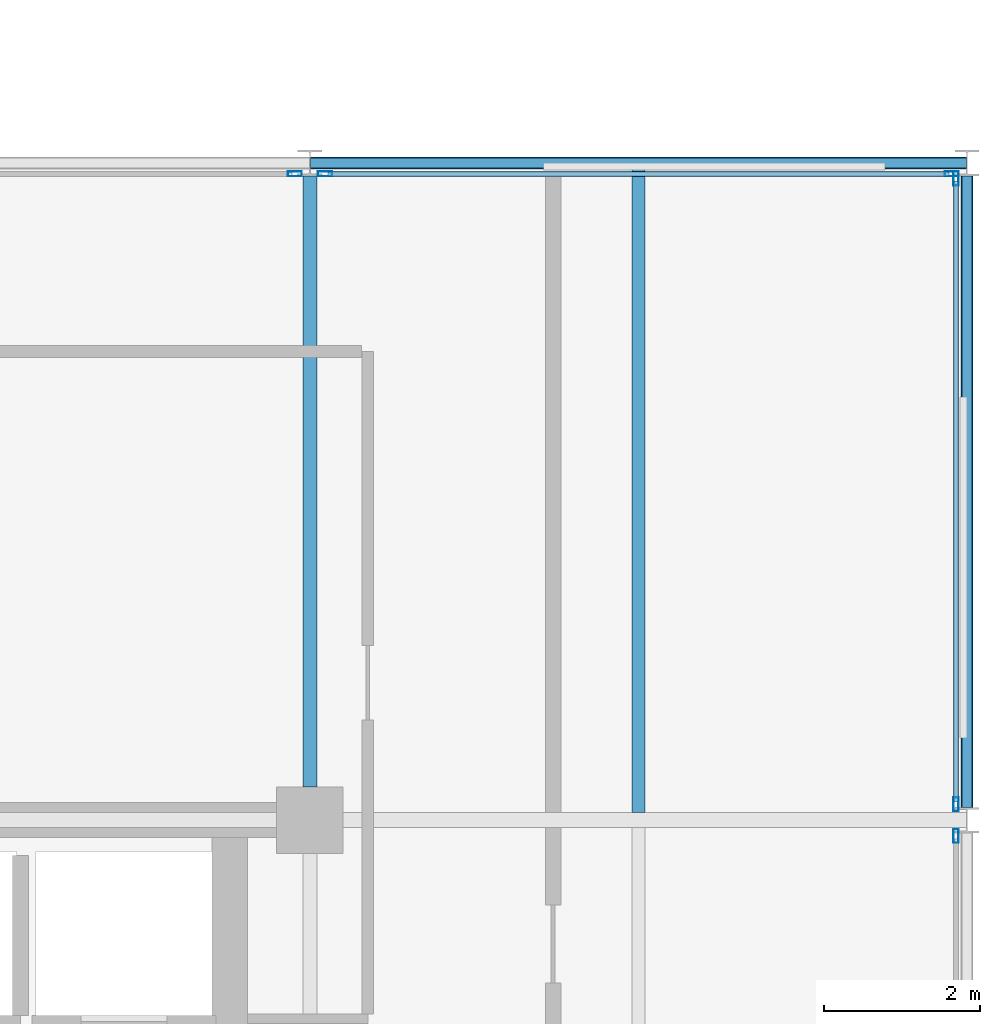
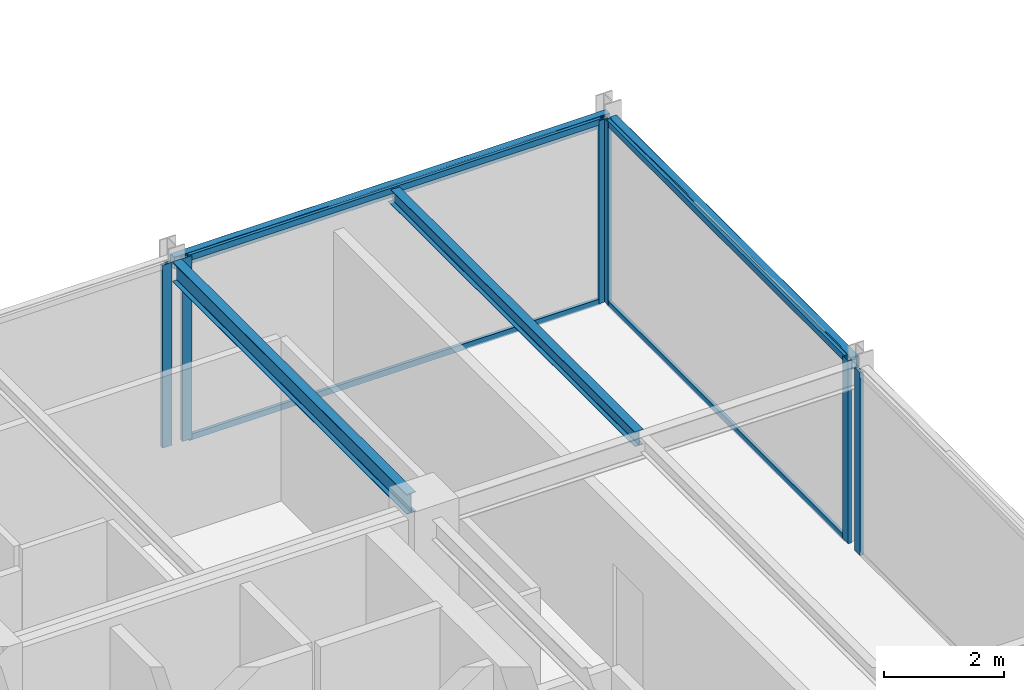
# One storey, part 16 of 26: 10 members, 4 beams, 4 elements without a shape of their own.
"""IFC4 building model written with IfcOpenShell, lengths in metres."""

from ifc_helpers import new_model, si_unit, direction, frame, origin, origin_2d, place, context, subcontext, project, spatial, hollow_rectangle, i_section, extrude, material, layer, layer_set, material_profile, profile_set, type_object, element, aggregate, save


model = new_model("IFC4")

# Units and contexts
model_context = context("Model", 3, precision=1e-05, world=origin(), true_north=direction((0.0, 1.0)))
body_context = subcontext(model_context, "Body", "Model", "MODEL_VIEW")
ifc_project = project(units=[si_unit("LENGTHUNIT", "METRE"), si_unit("AREAUNIT", "SQUARE_METRE"), si_unit("VOLUMEUNIT", "CUBIC_METRE"), si_unit("PLANEANGLEUNIT", "RADIAN"), si_unit("MASSUNIT", "GRAM", prefix="KILO")], contexts=[model_context])

# Site, building, storey
site_placement = place(None, origin())
site = spatial("IfcSite", under=ifc_project, at=site_placement, CompositionType="ELEMENT")
building_placement = place(site_placement, origin())
building = spatial("IfcBuilding", under=site, at=building_placement, Name="Nerrivon Quay Data Exchange", CompositionType="ELEMENT")
storey_placement = place(building_placement, frame((0.0, 0.0, 270.199951171875)))
storey = spatial("IfcBuildingStorey", under=building, at=storey_placement, Name="L64", CompositionType="ELEMENT", Elevation=270.199951171875)

# Beams
ifc_material_1 = material(Name="Steel Grade 350", Category="steel")
ifc_material_profile_1 = material_profile(ifc_material_1, i_section(OverallWidth=0.177978515625, OverallDepth=0.406005859375, WebThickness=0.0078125, FlangeThickness=0.0126953125, FilletRadius=0.011474609375, at=origin_2d()), Name="410UB59.7")
ifc_profile_set_1 = profile_set([ifc_material_profile_1], Name="Steel Grade 350")
beam_type_1 = type_object("IfcBeamType", Name="BM-J1-410UB60", PredefinedType="JOIST", material=ifc_profile_set_1)
beam_1_placement = place(storey_placement, frame((33.60009765625, 17.22509765625, 3.52197265625), z_axis=(0.0, 1.0, 0.0), x_axis=(-1.0, 0.0, 0.0)))
element("IfcBeam", 1, at=beam_1_placement, inside=storey, type_object=beam_type_1, Name="L64 NS Girder X=33.6 (16.8..25.2)", PredefinedType="JOIST", context=body_context, shape_type="SweptSolid", body=[
    extrude(i_section(OverallWidth=0.177978515625, OverallDepth=0.406005859375, WebThickness=0.0078125, FlangeThickness=0.0126953125, FilletRadius=0.011474609375, at=origin_2d()), origin(), (0.0, 0.0, 1.0), 7.8115234375),
])
ifc_material_profile_2 = material_profile(ifc_material_1, i_section(OverallWidth=0.1650390625, OverallDepth=0.303955078125, WebThickness=0.006103515625, FlangeThickness=0.01025390625, FilletRadius=0.011474609375, at=origin_2d()), Name="310UB40.4")
ifc_profile_set_2 = profile_set([ifc_material_profile_2], Name="Steel Grade 350")
beam_type_2 = type_object("IfcBeamType", Name="BM-J6-310UB40", PredefinedType="JOIST", material=ifc_profile_set_2)
beam_2_placement = place(storey_placement, frame((37.800048828125, 16.89501953125, 3.572998046875), z_axis=(0.0, 1.0, 0.0), x_axis=(-1.0, 0.0, 0.0)))
element("IfcBeam", 2, at=beam_2_placement, inside=storey, type_object=beam_type_2, Name="L64 Secondary Joist X=37.8 (16.8..25.2)", PredefinedType="JOIST", context=body_context, shape_type="SweptSolid", body=[
    extrude(i_section(OverallWidth=0.1650390625, OverallDepth=0.303955078125, WebThickness=0.006103515625, FlangeThickness=0.01025390625, FilletRadius=0.011474609375, at=origin_2d()), origin(), (0.0, 0.0, 1.0), 8.22998046875),
])
ifc_material_2 = material(Name="Steel Grade C350L0 (350 MPa)", Category="steel")
ifc_material_profile_3 = material_profile(ifc_material_2, hollow_rectangle(XDim=0.14990234375, YDim=0.25, WallThickness=0.009033203125, InnerFilletRadius=0.013427734375, OuterFilletRadius=0.0224609375, at=origin_2d()), Name="250x150x9.0RHS")
ifc_profile_set_3 = profile_set([ifc_material_profile_3], Name="Steel Grade C350L0 (350 MPa)")
beam_type_3 = type_object("IfcBeamType", Name="BM-SP4-250x150RHS", PredefinedType="SPANDREL", material=ifc_profile_set_3)
beam_3_placement = place(storey_placement, frame((33.60791015625, 25.199951171875, 3.60009765625), z_axis=(1.0, 0.0, 0.0), x_axis=(0.0, 1.0, 0.0)))
element("IfcBeam", 3, at=beam_3_placement, inside=storey, type_object=beam_type_3, Name="L64 EW Girder Y=25.2 (33.6..42.0)", PredefinedType="SPANDREL", context=body_context, shape_type="SweptSolid", body=[
    extrude(hollow_rectangle(XDim=0.14990234375, YDim=0.25, WallThickness=0.009033203125, InnerFilletRadius=0.013427734375, OuterFilletRadius=0.0224609375, at=origin_2d()), origin(), (0.0, 0.0, 1.0), 8.38427734375),
])
beam_4_placement = place(storey_placement, frame((42.0, 16.96337890625, 3.60009765625), z_axis=(0.0, 1.0, 0.0), x_axis=(-1.0, 0.0, 0.0)))
element("IfcBeam", 4, at=beam_4_placement, inside=storey, type_object=beam_type_3, Name="L64 NS Girder X=42.0 (16.8..25.2)", PredefinedType="SPANDREL", context=body_context, shape_type="SweptSolid", body=[
    extrude(hollow_rectangle(XDim=0.14990234375, YDim=0.25, WallThickness=0.009033203125, InnerFilletRadius=0.013427734375, OuterFilletRadius=0.0224609375, at=origin_2d()), origin(), (0.0, 0.0, 1.0), 8.0732421875),
])

# Curtain wall, member
ifc_material_3 = material(Name="Anodised aluminium 6063-T6", Category="aluminium")
ifc_layer = layer(ifc_material_3, 0.195068359375)
ifc_layer_set = layer_set([ifc_layer], Name="Anodised aluminium 6063-T6")
curtain_wall_type = type_object("IfcCurtainWallType", Name="CW-SYS-06", PredefinedType="NOTDEFINED", material=ifc_layer_set)
curtain_wall_1_placement = place(storey_placement, origin())
curtain_wall_1 = element("IfcCurtainWall", 5, at=curtain_wall_1_placement, inside=storey, type_object=curtain_wall_type, Name="L64 Unitised Curtain Wall 24", PredefinedType="NOTDEFINED")
ifc_material_profile_4 = material_profile(ifc_material_3, hollow_rectangle(XDim=0.06494140625, YDim=0.179931640625, WallThickness=0.00341796875, at=origin_2d()), Name="ALU-MULL-180x65")
ifc_profile_set_4 = profile_set([ifc_material_profile_4], Name="Anodised aluminium 6063-T6")
member_type_1 = type_object("IfcMemberType", Name="CWM-180x65", PredefinedType="MULLION", material=ifc_profile_set_4)
member_1_placement = place(storey_placement, frame((33.406982421875, 25.06005859375, 0.0), z_axis=(0.0, 0.0, 1.0), x_axis=(0.0, 1.0, 0.0)))
member_1 = element("IfcMember", 6, at=member_1_placement, type_object=member_type_1, Name="CW06 mullion 2", PredefinedType="MULLION", context=body_context, shape_type="SweptSolid", body=[
    extrude(hollow_rectangle(XDim=0.06494140625, YDim=0.179931640625, WallThickness=0.00341796875, at=origin_2d()), origin(), (0.0, 0.0, 1.0), 3.72509765625),
])
aggregate(curtain_wall_1, [member_1])

# Curtain wall, members
curtain_wall_2_placement = place(storey_placement, origin())
curtain_wall_2 = element("IfcCurtainWall", 7, at=curtain_wall_2_placement, inside=storey, type_object=curtain_wall_type, Name="L64 Unitised Curtain Wall 25", PredefinedType="NOTDEFINED")
member_2_placement = place(storey_placement, frame((33.79296875, 25.06005859375, 0.0), z_axis=(0.0, 0.0, 1.0), x_axis=(0.0, 1.0, 0.0)))
member_2 = element("IfcMember", 8, at=member_2_placement, type_object=member_type_1, Name="CW06 mullion 1", PredefinedType="MULLION", context=body_context, shape_type="SweptSolid", body=[
    extrude(hollow_rectangle(XDim=0.06494140625, YDim=0.179931640625, WallThickness=0.00341796875, at=origin_2d()), origin(), (0.0, 0.0, 1.0), 3.72509765625),
])
member_3_placement = place(storey_placement, frame((41.806884765625, 25.06005859375, 0.0), z_axis=(0.0, 0.0, 1.0), x_axis=(0.0, 1.0, 0.0)))
member_3 = element("IfcMember", 9, at=member_3_placement, type_object=member_type_1, Name="CW06 mullion 2", PredefinedType="MULLION", context=body_context, shape_type="SweptSolid", body=[
    extrude(hollow_rectangle(XDim=0.06494140625, YDim=0.179931640625, WallThickness=0.00341796875, at=origin_2d()), origin(), (0.0, 0.0, 1.0), 3.72509765625),
])

curtain_wall_3_placement = place(storey_placement, origin())
curtain_wall_3 = element("IfcCurtainWall", 10, at=curtain_wall_3_placement, inside=storey, type_object=curtain_wall_type, Name="L64 Unitised Curtain Wall 26", PredefinedType="NOTDEFINED")
member_4_placement = place(storey_placement, frame((41.860107421875, 24.9990234375, 0.0), z_axis=(0.0, 0.0, 1.0), x_axis=(1.0, 0.0, 0.0)))
member_4 = element("IfcMember", 11, at=member_4_placement, type_object=member_type_1, Name="CW06 mullion 1", PredefinedType="MULLION", context=body_context, shape_type="SweptSolid", body=[
    extrude(hollow_rectangle(XDim=0.06494140625, YDim=0.179931640625, WallThickness=0.00341796875, at=origin_2d()), origin(), (0.0, 0.0, 1.0), 3.72509765625),
])
member_5_placement = place(storey_placement, frame((41.860107421875, 17.0009765625, 0.0), z_axis=(0.0, 0.0, 1.0), x_axis=(1.0, 0.0, 0.0)))
member_5 = element("IfcMember", 12, at=member_5_placement, type_object=member_type_1, Name="CW06 mullion 2", PredefinedType="MULLION", context=body_context, shape_type="SweptSolid", body=[
    extrude(hollow_rectangle(XDim=0.06494140625, YDim=0.179931640625, WallThickness=0.00341796875, at=origin_2d()), origin(), (0.0, 0.0, 1.0), 3.72509765625),
])

# Curtain wall, member
curtain_wall_4_placement = place(storey_placement, origin())
curtain_wall_4 = element("IfcCurtainWall", 13, at=curtain_wall_4_placement, inside=storey, type_object=curtain_wall_type, Name="L64 Unitised Curtain Wall 27", PredefinedType="NOTDEFINED")
member_6_placement = place(storey_placement, frame((41.860107421875, 16.59912109375, 0.0), z_axis=(0.0, 0.0, 1.0), x_axis=(1.0, 0.0, 0.0)))
member_6 = element("IfcMember", 14, at=member_6_placement, type_object=member_type_1, Name="CW06 mullion 1", PredefinedType="MULLION", context=body_context, shape_type="SweptSolid", body=[
    extrude(hollow_rectangle(XDim=0.06494140625, YDim=0.179931640625, WallThickness=0.00341796875, at=origin_2d()), origin(), (0.0, 0.0, 1.0), 3.72509765625),
])
aggregate(curtain_wall_4, [member_6])

# Member
ifc_material_profile_5 = material_profile(ifc_material_3, hollow_rectangle(XDim=0.06005859375, YDim=0.1201171875, WallThickness=0.003173828125, at=origin_2d()), Name="ALU-TRAN-120x60")
ifc_profile_set_5 = profile_set([ifc_material_profile_5], Name="Anodised aluminium 6063-T6")
member_type_2 = type_object("IfcMemberType", Name="CWT-120x60", PredefinedType="USERDEFINED", material=ifc_profile_set_5)
member_7_placement = place(storey_placement, frame((33.83056640625, 25.06005859375, 0.032470703125), z_axis=(1.0, 0.0, 0.0), x_axis=(0.0, 1.0, 0.0)))
member_7 = element("IfcMember", 15, at=member_7_placement, type_object=member_type_2, Name="CW06 transom 1.1", ObjectType="TRANSOM", PredefinedType="USERDEFINED", context=body_context, shape_type="SweptSolid", body=[
    extrude(hollow_rectangle(XDim=0.06005859375, YDim=0.1201171875, WallThickness=0.003173828125, at=origin_2d()), origin(), (0.0, 0.0, 1.0), 7.93896484375),
])

member_8_placement = place(storey_placement, frame((33.83056640625, 25.06005859375, 3.692626953125), z_axis=(1.0, 0.0, 0.0), x_axis=(0.0, 1.0, 0.0)))
member_8 = element("IfcMember", 16, at=member_8_placement, type_object=member_type_2, Name="CW06 transom 1.2", ObjectType="TRANSOM", PredefinedType="USERDEFINED", context=body_context, shape_type="SweptSolid", body=[
    extrude(hollow_rectangle(XDim=0.06005859375, YDim=0.1201171875, WallThickness=0.003173828125, at=origin_2d()), origin(), (0.0, 0.0, 1.0), 7.93896484375),
])

aggregate(curtain_wall_2, [member_2, member_3, member_7, member_8])

member_9_placement = place(storey_placement, frame((41.860107421875, 24.96142578125, 0.032470703125), z_axis=(0.0, -1.0, 0.0), x_axis=(1.0, 0.0, 0.0)))
member_9 = element("IfcMember", 17, at=member_9_placement, type_object=member_type_2, Name="CW06 transom 1.1", ObjectType="TRANSOM", PredefinedType="USERDEFINED", context=body_context, shape_type="SweptSolid", body=[
    extrude(hollow_rectangle(XDim=0.06005859375, YDim=0.1201171875, WallThickness=0.003173828125, at=origin_2d()), origin(), (0.0, 0.0, 1.0), 7.9228515625),
])

member_10_placement = place(storey_placement, frame((41.860107421875, 24.96142578125, 3.692626953125), z_axis=(0.0, -1.0, 0.0), x_axis=(1.0, 0.0, 0.0)))
member_10 = element("IfcMember", 18, at=member_10_placement, type_object=member_type_2, Name="CW06 transom 1.2", ObjectType="TRANSOM", PredefinedType="USERDEFINED", context=body_context, shape_type="SweptSolid", body=[
    extrude(hollow_rectangle(XDim=0.06005859375, YDim=0.1201171875, WallThickness=0.003173828125, at=origin_2d()), origin(), (0.0, 0.0, 1.0), 7.9228515625),
])

aggregate(curtain_wall_3, [member_4, member_5, member_9, member_10])

save(model, "model.ifc")
